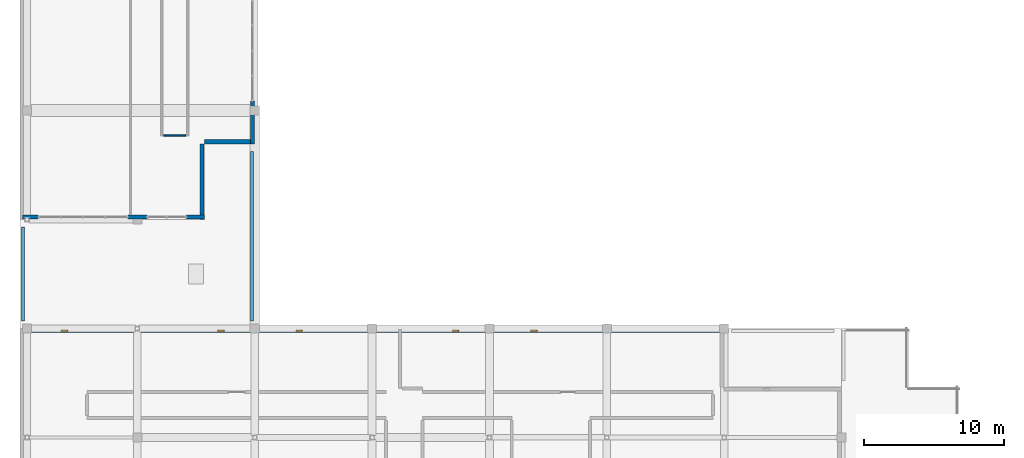
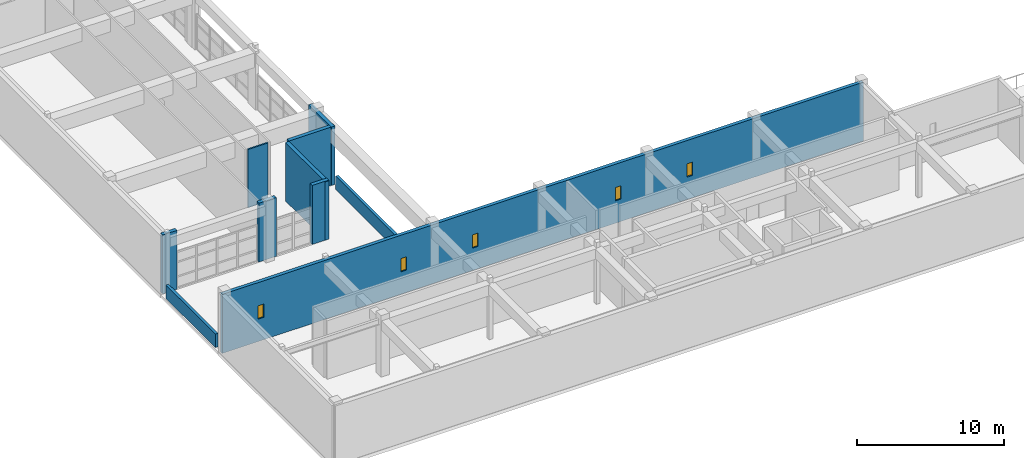
# One storey, part 65 of 78: 10 walls, 5 windows, 5 openings.
"""IFC4 building model written with IfcOpenShell, lengths in metres."""

from ifc_helpers import new_model, si_unit, direction, frame, frame_2d, origin, place, context, subcontext, project, spatial, rectangle, extrude, material, layer, layer_set, type_object, element, fill, save


model = new_model("IFC4")

# Units and contexts
model_context = context("Model", 3, precision=1e-05, world=origin(), true_north=direction((0.0, 1.0)))
body_context = subcontext(model_context, "Body", "Model", "MODEL_VIEW")
ifc_project = project(units=[si_unit("LENGTHUNIT", "METRE"), si_unit("AREAUNIT", "SQUARE_METRE"), si_unit("VOLUMEUNIT", "CUBIC_METRE"), si_unit("PLANEANGLEUNIT", "RADIAN"), si_unit("MASSUNIT", "GRAM", prefix="KILO")], contexts=[model_context])

# Site, building, storey
site_placement = place(None, origin())
site = spatial("IfcSite", under=ifc_project, at=site_placement, CompositionType="ELEMENT")
building_placement = place(site_placement, origin())
building = spatial("IfcBuilding", under=site, at=building_placement, Name="Quendrovan Civic Courthouse", CompositionType="ELEMENT")
storey_placement = place(building_placement, frame((0.0, 0.0, 20.39990234375)))
storey = spatial("IfcBuildingStorey", under=building, at=storey_placement, Name="L05", CompositionType="ELEMENT", Elevation=20.39990234375)

# Walls
ifc_material_1 = material(Name="Precast concrete C45/55", Category="concrete")
ifc_layer_1 = layer(ifc_material_1, 0.2900390625, Name="Precast concrete C45/55")
ifc_layer_set_1 = layer_set([ifc_layer_1], Name="Precast concrete C45/55")
wall_type_1 = type_object("IfcWallType", Name="WL-EXT-PC290", PredefinedType="SOLIDWALL", material=ifc_layer_set_1)
wall_1_placement = place(storey_placement, frame((16.635009765625, 31.875, 0.0), z_axis=(0.0, 0.0, 1.0), x_axis=(0.0, -1.0, 0.0)))
element("IfcWall", 1, at=wall_1_placement, inside=storey, type_object=wall_type_1, Name="L05 Exterior Pier Wall 428", PredefinedType="SOLIDWALL", context=body_context, shape_type="SweptSolid", body=[
    extrude(rectangle(XDim=3.074951171875, YDim=0.2900390625, at=frame_2d((1.53759765625, 0.0))), origin(), (0.0, 0.0, 1.0), 4.840087890625),
])
wall_2_placement = place(storey_placement, frame((16.800048828125, 28.965087890625, 0.0), z_axis=(0.0, 0.0, 1.0), x_axis=(-1.0, 0.0, 0.0)))
element("IfcWall", 2, at=wall_2_placement, inside=storey, type_object=wall_type_1, Name="L05 Exterior Civic Portal Wall 429", PredefinedType="SOLIDWALL", context=body_context, shape_type="SweptSolid", body=[
    extrude(rectangle(XDim=3.60009765625, YDim=0.2900390625, at=frame_2d((1.800048828125, 0.0))), origin(), (0.0, 0.0, 1.0), 4.840087890625),
])
wall_3_placement = place(storey_placement, frame((13.034912109375, 28.800048828125, 0.0), z_axis=(0.0, 0.0, 1.0), x_axis=(0.0, -1.0, 0.0)))
element("IfcWall", 3, at=wall_3_placement, inside=storey, type_object=wall_type_1, Name="L05 Exterior Civic Portal Wall 430", PredefinedType="SOLIDWALL", context=body_context, shape_type="SweptSolid", body=[
    extrude(rectangle(XDim=5.400146484375, YDim=0.2900390625, at=frame_2d((2.7001953125, 0.0))), origin(), (0.0, 0.0, 1.0), 4.840087890625),
])
wall_4_placement = place(storey_placement, frame((13.199951171875, 23.56494140625, 0.0), z_axis=(0.0, 0.0, 1.0), x_axis=(-1.0, 0.0, 0.0)))
element("IfcWall", 4, at=wall_4_placement, inside=storey, type_object=wall_type_1, Name="L05 Exterior Pier Wall 431", PredefinedType="SOLIDWALL", context=body_context, shape_type="SweptSolid", body=[
    extrude(rectangle(XDim=1.300048828125, YDim=0.2900390625, at=frame_2d((0.64990234375, 0.0))), origin(), (0.0, 0.0, 1.0), 4.880126953125),
])
wall_5_placement = place(storey_placement, frame((9.074951171875, 23.56494140625, 0.0), z_axis=(0.0, 0.0, 1.0), x_axis=(-1.0, 0.0, 0.0)))
element("IfcWall", 5, at=wall_5_placement, inside=storey, type_object=wall_type_1, Name="L05 Exterior Pier Wall 432", PredefinedType="SOLIDWALL", context=body_context, shape_type="SweptSolid", body=[
    extrude(rectangle(XDim=1.349853515625, YDim=0.2900390625, at=frame_2d((0.6748046875, 0.0))), origin(), (0.0, 0.0, 1.0), 4.880126953125),
])
wall_6_placement = place(storey_placement, frame((1.300048828125, 23.56494140625, 0.0), z_axis=(0.0, 0.0, 1.0), x_axis=(-1.0, 0.0, 0.0)))
element("IfcWall", 6, at=wall_6_placement, inside=storey, type_object=wall_type_1, Name="L05 Exterior Pier Wall 433", PredefinedType="SOLIDWALL", context=body_context, shape_type="SweptSolid", body=[
    extrude(rectangle(XDim=1.125, YDim=0.2900390625, at=frame_2d((0.5625, 0.0))), origin(), (0.0, 0.0, 1.0), 4.880126953125),
])

# Wall, openings, windows
ifc_material_2 = material(Name="Concrete C40/50", Category="concrete")
ifc_layer_2 = layer(ifc_material_2, 0.27001953125, Name="Concrete C40/50")
ifc_layer_set_2 = layer_set([ifc_layer_2], Name="Concrete C40/50")
wall_type_2 = type_object("IfcWallType", Name="WL-EXT-RC270", PredefinedType="SOLIDWALL", material=ifc_layer_set_2)
wall_7_placement = place(storey_placement, frame((0.1650390625, 15.445068359375, 0.0), z_axis=(0.0, 0.0, 1.0), x_axis=(1.0, 0.0, 0.0)))
wall_7 = element("IfcWall", 7, at=wall_7_placement, inside=storey, type_object=wall_type_2, Name="L05 Exterior Precast Concrete Wall 411", PredefinedType="SOLIDWALL", context=body_context, shape_type="SweptSolid", body=[
    extrude(rectangle(XDim=50.23486328125, YDim=0.27001953125, at=frame_2d((25.117431640625, 0.0))), origin(), (0.0, 0.0, 1.0), 4.880126953125),
])
opening_1_placement = place(wall_7_placement, frame((2.800048828125, 0.0, 1.85009765625)))
opening_1 = element("IfcOpeningElement", 8, at=opening_1_placement, cuts=wall_7, Name="Opening WS01", PredefinedType="OPENING", context=body_context, shape_type="SweptSolid", body=[
    extrude(rectangle(XDim=0.449951171875, YDim=1.10009765625, at=frame_2d((0.22509765625, 0.550048828125))), frame((0.0, 0.14501953125, 0.0), z_axis=(0.0, -1.0, 0.0), x_axis=(1.0, 0.0, 0.0)), (0.0, 0.0, 1.0), 0.2900390625),
])
opening_2_placement = place(wall_7_placement, frame((14.0, 0.0, 1.85009765625)))
opening_2 = element("IfcOpeningElement", 9, at=opening_2_placement, cuts=wall_7, Name="Opening WS01", PredefinedType="OPENING", context=body_context, shape_type="SweptSolid", body=[
    extrude(rectangle(XDim=0.449951171875, YDim=1.10009765625, at=frame_2d((0.22509765625, 0.550048828125))), frame((0.0, 0.14501953125, 0.0), z_axis=(0.0, -1.0, 0.0), x_axis=(1.0, 0.0, 0.0)), (0.0, 0.0, 1.0), 0.2900390625),
])
opening_3_placement = place(wall_7_placement, frame((19.60009765625, 0.0, 1.85009765625)))
opening_3 = element("IfcOpeningElement", 10, at=opening_3_placement, cuts=wall_7, Name="Opening WS01", PredefinedType="OPENING", context=body_context, shape_type="SweptSolid", body=[
    extrude(rectangle(XDim=0.449951171875, YDim=1.10009765625, at=frame_2d((0.22509765625, 0.550048828125))), frame((0.0, 0.14501953125, 0.0), z_axis=(0.0, -1.0, 0.0), x_axis=(1.0, 0.0, 0.0)), (0.0, 0.0, 1.0), 0.2900390625),
])
opening_4_placement = place(wall_7_placement, frame((30.800048828125, 0.0, 1.85009765625)))
opening_4 = element("IfcOpeningElement", 11, at=opening_4_placement, cuts=wall_7, Name="Opening WS01", PredefinedType="OPENING", context=body_context, shape_type="SweptSolid", body=[
    extrude(rectangle(XDim=0.449951171875, YDim=1.10009765625, at=frame_2d((0.22509765625, 0.550048828125))), frame((0.0, 0.14501953125, 0.0), z_axis=(0.0, -1.0, 0.0), x_axis=(1.0, 0.0, 0.0)), (0.0, 0.0, 1.0), 0.2900390625),
])
opening_5_placement = place(wall_7_placement, frame((36.39990234375, 0.0, 1.85009765625)))
opening_5 = element("IfcOpeningElement", 12, at=opening_5_placement, cuts=wall_7, Name="Opening WS01", PredefinedType="OPENING", context=body_context, shape_type="SweptSolid", body=[
    extrude(rectangle(XDim=0.449951171875, YDim=1.10009765625, at=frame_2d((0.22509765625, 0.550048828125))), frame((0.0, 0.14501953125, 0.0), z_axis=(0.0, -1.0, 0.0), x_axis=(1.0, 0.0, 0.0)), (0.0, 0.0, 1.0), 0.2900390625),
])
ifc_material_3 = material(Name="Polycarbonate laminated security glass", Category="glass")
window_type = type_object("IfcWindowType", Name="WIN-SEC-SLOT", PartitioningType="SINGLE_PANEL", PredefinedType="WINDOW", material=ifc_material_3)
window_1_placement = place(opening_1_placement, origin())
window_1 = element("IfcWindow", 13, at=window_1_placement, inside=storey, type_object=window_type, Name="L05 Custody High-Sill Security Window 0028", OverallHeight=1.10009765625, OverallWidth=0.449951171875, PartitioningType="SINGLE_PANEL", PredefinedType="WINDOW", context=body_context, shape_type="SweptSolid", body=[
    extrude(rectangle(XDim=0.449951171875, YDim=1.10009765625, at=frame_2d((0.22509765625, 0.550048828125))), frame((0.0, 0.030029296875, 0.0), z_axis=(0.0, -1.0, 0.0), x_axis=(1.0, 0.0, 0.0)), (0.0, 0.0, 1.0), 0.06005859375),
])
fill(opening_1, window_1)
window_2_placement = place(opening_2_placement, origin())
window_2 = element("IfcWindow", 14, at=window_2_placement, inside=storey, type_object=window_type, Name="L05 Custody High-Sill Security Window 0029", OverallHeight=1.10009765625, OverallWidth=0.449951171875, PartitioningType="SINGLE_PANEL", PredefinedType="WINDOW", context=body_context, shape_type="SweptSolid", body=[
    extrude(rectangle(XDim=0.449951171875, YDim=1.10009765625, at=frame_2d((0.22509765625, 0.550048828125))), frame((0.0, 0.030029296875, 0.0), z_axis=(0.0, -1.0, 0.0), x_axis=(1.0, 0.0, 0.0)), (0.0, 0.0, 1.0), 0.06005859375),
])
fill(opening_2, window_2)
window_3_placement = place(opening_3_placement, origin())
window_3 = element("IfcWindow", 15, at=window_3_placement, inside=storey, type_object=window_type, Name="L05 Custody High-Sill Security Window 0030", OverallHeight=1.10009765625, OverallWidth=0.449951171875, PartitioningType="SINGLE_PANEL", PredefinedType="WINDOW", context=body_context, shape_type="SweptSolid", body=[
    extrude(rectangle(XDim=0.449951171875, YDim=1.10009765625, at=frame_2d((0.22509765625, 0.550048828125))), frame((0.0, 0.030029296875, 0.0), z_axis=(0.0, -1.0, 0.0), x_axis=(1.0, 0.0, 0.0)), (0.0, 0.0, 1.0), 0.06005859375),
])
fill(opening_3, window_3)
window_4_placement = place(opening_4_placement, origin())
window_4 = element("IfcWindow", 16, at=window_4_placement, inside=storey, type_object=window_type, Name="L05 Custody High-Sill Security Window 0031", OverallHeight=1.10009765625, OverallWidth=0.449951171875, PartitioningType="SINGLE_PANEL", PredefinedType="WINDOW", context=body_context, shape_type="SweptSolid", body=[
    extrude(rectangle(XDim=0.449951171875, YDim=1.10009765625, at=frame_2d((0.22509765625, 0.550048828125))), frame((0.0, 0.030029296875, 0.0), z_axis=(0.0, -1.0, 0.0), x_axis=(1.0, 0.0, 0.0)), (0.0, 0.0, 1.0), 0.06005859375),
])
fill(opening_4, window_4)
window_5_placement = place(opening_5_placement, origin())
window_5 = element("IfcWindow", 17, at=window_5_placement, inside=storey, type_object=window_type, Name="L05 Custody High-Sill Security Window 0032", OverallHeight=1.10009765625, OverallWidth=0.449951171875, PartitioningType="SINGLE_PANEL", PredefinedType="WINDOW", context=body_context, shape_type="SweptSolid", body=[
    extrude(rectangle(XDim=0.449951171875, YDim=1.10009765625, at=frame_2d((0.22509765625, 0.550048828125))), frame((0.0, 0.030029296875, 0.0), z_axis=(0.0, -1.0, 0.0), x_axis=(1.0, 0.0, 0.0)), (0.0, 0.0, 1.0), 0.06005859375),
])
fill(opening_5, window_5)

# Walls
ifc_material_4 = material(Name="Acoustic glazed-head stud partition")
ifc_layer_3 = layer(ifc_material_4, 0.1201171875, Name="Acoustic glazed-head stud partition")
ifc_layer_set_3 = layer_set([ifc_layer_3], Name="Acoustic glazed-head stud partition")
wall_type_3 = type_object("IfcWallType", Name="WL-LIB-120", PredefinedType="PARTITIONING", material=ifc_layer_set_3)
wall_8_placement = place(storey_placement, frame((10.2900390625, 29.39990234375, 0.0), z_axis=(0.0, 0.0, 1.0), x_axis=(1.0, 0.0, 0.0)))
element("IfcWall", 18, at=wall_8_placement, inside=storey, type_object=wall_type_3, Name="L05 Rare Legal Archive Partition 0742", PredefinedType="PARTITIONING", context=body_context, shape_type="SweptSolid", body=[
    extrude(rectangle(XDim=1.570068359375, YDim=0.1201171875, at=frame_2d((0.78515625, 0.0))), origin(), (0.0, 0.0, 1.0), 4.840087890625),
])
ifc_layer_4 = layer(ifc_material_1, 0.2099609375, Name="Precast concrete C45/55")
ifc_layer_set_4 = layer_set([ifc_layer_4], Name="Precast concrete C45/55")
wall_type_4 = type_object("IfcWallType", Name="WL-PARAPET-210", PredefinedType="PARAPET", material=ifc_layer_set_4)
wall_9_placement = place(storey_placement, frame((0.199951171875, 16.139892578125, 0.0), z_axis=(0.0, 0.0, 1.0), x_axis=(0.0, 1.0, 0.0)))
element("IfcWall", 19, at=wall_9_placement, inside=storey, type_object=wall_type_4, Name="L05 Precast Roof Parapet Wall 48", PredefinedType="PARAPET", context=body_context, shape_type="SweptSolid", body=[
    extrude(rectangle(XDim=6.72021484375, YDim=0.2099609375, at=frame_2d((3.360107421875, 0.0))), origin(), (0.0, 0.0, 1.0), 1.1201171875),
])
wall_10_placement = place(storey_placement, frame((16.6201171875, 28.260009765625, 0.0), z_axis=(0.0, 0.0, 1.0), x_axis=(0.0, -1.0, 0.0)))
element("IfcWall", 20, at=wall_10_placement, inside=storey, type_object=wall_type_4, Name="L05 Precast Roof Parapet Wall 49", PredefinedType="PARAPET", context=body_context, shape_type="SweptSolid", body=[
    extrude(rectangle(XDim=12.1201171875, YDim=0.2099609375, at=frame_2d((6.06005859375, 0.0))), origin(), (0.0, 0.0, 1.0), 1.1201171875),
])

save(model, "model.ifc")
